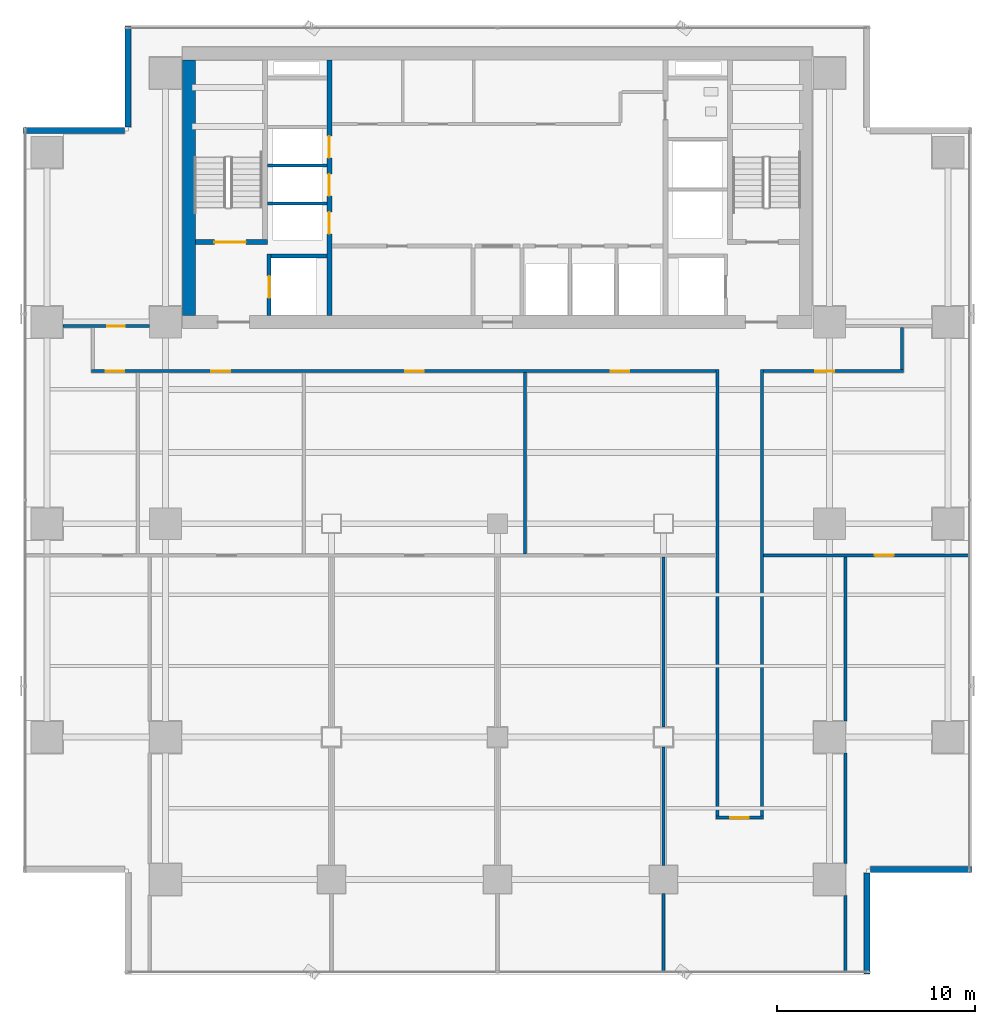
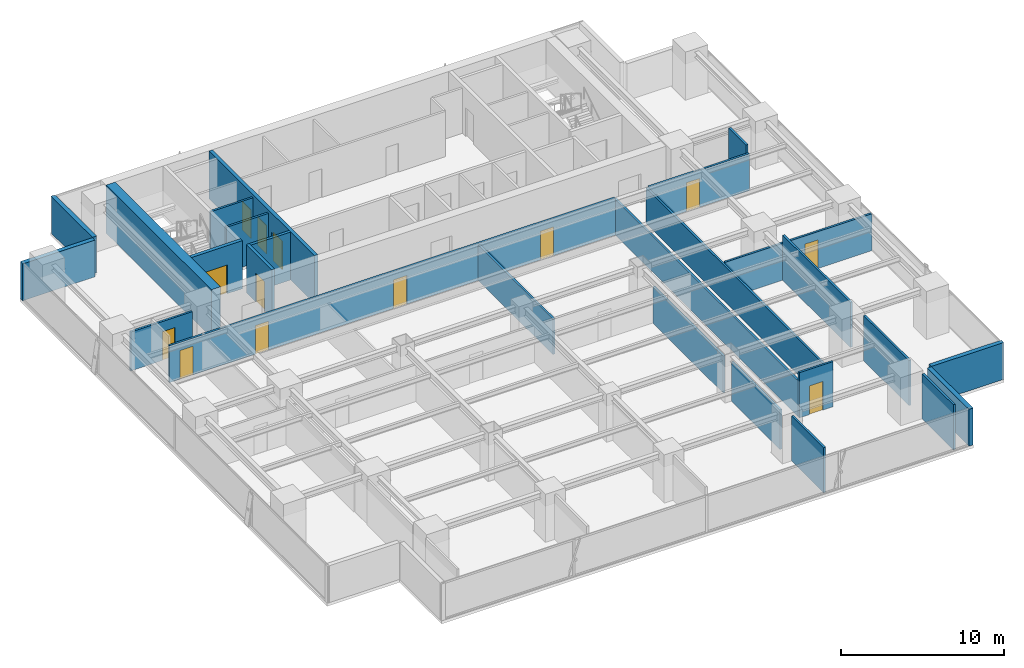
# One storey, part 21 of 28: 26 walls, 13 doors, 13 openings.
"""IFC4 building model written with IfcOpenShell, lengths in metres."""

from ifc_helpers import new_model, si_unit, direction, frame, frame_2d, origin, place, context, subcontext, project, spatial, rectangle, extrude, source, transform, mapped, material, layer, layer_set, type_object, element, fill, save


model = new_model("IFC4")

# Units and contexts
model_context = context("Model", 3, precision=1e-05, world=origin(), true_north=direction((0.0, 1.0)))
body_context = subcontext(model_context, "Body", "Model", "MODEL_VIEW")
ifc_project = project(units=[si_unit("LENGTHUNIT", "METRE"), si_unit("AREAUNIT", "SQUARE_METRE"), si_unit("VOLUMEUNIT", "CUBIC_METRE"), si_unit("PLANEANGLEUNIT", "RADIAN"), si_unit("MASSUNIT", "GRAM", prefix="KILO")], contexts=[model_context])

# Site, building, storey
site_placement = place(None, origin())
site = spatial("IfcSite", under=ifc_project, at=site_placement, CompositionType="ELEMENT")
building_placement = place(site_placement, origin())
building = spatial("IfcBuilding", under=site, at=building_placement, Name="Sumidabori Civic Tower", CompositionType="ELEMENT")
storey_placement = place(building_placement, frame((0.0, 0.0, 146.0)))
storey = spatial("IfcBuildingStorey", under=building, at=storey_placement, Name="L37", CompositionType="ELEMENT", Elevation=146.0)

# Walls
ifc_material_1 = material(Name="Concrete C50/60", Category="concrete")
ifc_layer_1 = layer(ifc_material_1, 0.199951171875, Name="Concrete C50/60")
ifc_layer_set_1 = layer_set([ifc_layer_1], Name="Concrete C50/60")
wall_type_1 = type_object("IfcWallType", Name="WL-SHAFT-200", PredefinedType="SHEAR", material=ifc_layer_set_1)
shared_shape_1 = source(origin(), body_context, "Body", "SweptSolid", [
    extrude(rectangle(XDim=2.824951171875, YDim=0.199951171875, at=frame_2d((1.41259765625, 0.0))), origin(), (0.0, 0.0, 1.0), 3.60009765625),
])
wall_1_placement = place(storey_placement, frame((-11.449951171875, 13.550048828125, 0.0), z_axis=(0.0, 0.0, 1.0), x_axis=(1.0, 0.0, 0.0)))
element("IfcWall", 1, at=wall_1_placement, inside=storey, type_object=wall_type_1, Name="Core Shear Wall L37 EL1-N", PredefinedType="SHEAR", context=body_context, shape_type="MappedRepresentation", body=[
    mapped(shared_shape_1, transform((0.0, 0.0, 0.0), x_axis=(1.0, 0.0, 0.0), y_axis=(0.0, 1.0, 0.0), z_axis=(0.0, 0.0, 1.0), scale=1.0)),
])
ifc_material_2 = material(Name="Concrete C60/75", Category="concrete")
ifc_layer_2 = layer(ifc_material_2, 0.64990234375, Name="Concrete C60/75")
ifc_layer_set_2 = layer_set([ifc_layer_2], Name="Concrete C60/75")
wall_type_2 = type_object("IfcWallType", Name="WL-CORE-650", PredefinedType="SHEAR", material=ifc_layer_set_2)
shared_shape_2 = source(origin(), body_context, "Body", "SweptSolid", [
    extrude(rectangle(XDim=12.9501953125, YDim=0.64990234375, at=frame_2d((6.47509765625, 0.0))), origin(), (0.0, 0.0, 1.0), 3.60009765625),
])
wall_2_placement = place(storey_placement, frame((-15.60009765625, 10.52490234375, 0.0), z_axis=(0.0, 0.0, 1.0), x_axis=(0.0, 1.0, 0.0)))
element("IfcWall", 2, at=wall_2_placement, inside=storey, type_object=wall_type_2, Name="Core Shear Wall L37 W", PredefinedType="SHEAR", context=body_context, shape_type="MappedRepresentation", body=[
    mapped(shared_shape_2, transform((0.0, 0.0, 0.0), x_axis=(1.0, 0.0, 0.0), y_axis=(0.0, 1.0, 0.0), z_axis=(0.0, 0.0, 1.0), scale=1.0)),
])

# Wall, openings, doors
ifc_layer_3 = layer(ifc_material_1, 0.25, Name="Concrete C50/60")
ifc_layer_set_3 = layer_set([ifc_layer_3], Name="Concrete C50/60")
wall_type_3 = type_object("IfcWallType", Name="WL-SHAFT-250", PredefinedType="SHEAR", material=ifc_layer_set_3)
shared_shape_3 = source(origin(), body_context, "Body", "SweptSolid", [
    extrude(rectangle(XDim=12.9501953125, YDim=0.25, at=frame_2d((6.47509765625, 0.0))), origin(), (0.0, 0.0, 1.0), 3.60009765625),
])
wall_3_placement = place(storey_placement, frame((-8.5, 10.52490234375, 0.0), z_axis=(0.0, 0.0, 1.0), x_axis=(0.0, 1.0, 0.0)))
wall_3 = element("IfcWall", 3, at=wall_3_placement, inside=storey, type_object=wall_type_3, Name="Core Shear Wall L37 WEB-W", PredefinedType="SHEAR", context=body_context, shape_type="MappedRepresentation", body=[
    mapped(shared_shape_3, transform((0.0, 0.0, 0.0), x_axis=(1.0, 0.0, 0.0), y_axis=(0.0, 1.0, 0.0), z_axis=(0.0, 0.0, 1.0), scale=1.0)),
])
opening_1_placement = place(wall_3_placement, frame((4.14501953125, 0.0, 0.0)))
opening_1 = element("IfcOpeningElement", 4, at=opening_1_placement, cuts=wall_3, Name="Opening LD-1", PredefinedType="OPENING", context=body_context, shape_type="SweptSolid", body=[
    extrude(rectangle(XDim=1.10009765625, YDim=2.14990234375, at=frame_2d((0.550048828125, 1.074951171875))), frame((0.0, 0.136962890625, 0.0), z_axis=(0.0, -1.0, 0.0), x_axis=(1.0, 0.0, 0.0)), (0.0, 0.0, 1.0), 0.27392578125),
])
opening_2_placement = place(wall_3_placement, frame((6.06494140625, 0.0, 0.0)))
opening_2 = element("IfcOpeningElement", 5, at=opening_2_placement, cuts=wall_3, Name="Opening LD-1", PredefinedType="OPENING", context=body_context, shape_type="SweptSolid", body=[
    extrude(rectangle(XDim=1.10009765625, YDim=2.14990234375, at=frame_2d((0.550048828125, 1.074951171875))), frame((0.0, 0.136962890625, 0.0), z_axis=(0.0, -1.0, 0.0), x_axis=(1.0, 0.0, 0.0)), (0.0, 0.0, 1.0), 0.27392578125),
])
opening_3_placement = place(wall_3_placement, frame((7.985107421875, 0.0, 0.0)))
opening_3 = element("IfcOpeningElement", 6, at=opening_3_placement, cuts=wall_3, Name="Opening LD-1", PredefinedType="OPENING", context=body_context, shape_type="SweptSolid", body=[
    extrude(rectangle(XDim=1.10009765625, YDim=2.14990234375, at=frame_2d((0.550048828125, 1.074951171875))), frame((0.0, 0.136962890625, 0.0), z_axis=(0.0, -1.0, 0.0), x_axis=(1.0, 0.0, 0.0)), (0.0, 0.0, 1.0), 0.27392578125),
])
ifc_material_3 = material(Name="Stainless Steel Hairline Finish", Category="steel")
door_type_1 = type_object("IfcDoorType", Name="DR-LD1", OperationType="DOUBLE_DOOR_SLIDING", PredefinedType="DOOR", material=ifc_material_3)
shared_shape_4 = source(origin(), body_context, "Body", "SweptSolid", [
    extrude(rectangle(XDim=1.10009765625, YDim=2.14990234375, at=frame_2d((0.550048828125, 1.074951171875))), frame((0.0, 0.02490234375, 0.0), z_axis=(0.0, -1.0, 0.0), x_axis=(1.0, 0.0, 0.0)), (0.0, 0.0, 1.0), 0.050048828125),
])
door_1_placement = place(opening_1_placement, origin())
door_1 = element("IfcDoor", 7, at=door_1_placement, inside=storey, type_object=door_type_1, Name="Door DR:L37:LD-PLH1", OperationType="DOUBLE_DOOR_SLIDING", OverallHeight=2.14990234375, OverallWidth=1.10009765625, PredefinedType="DOOR", context=body_context, shape_type="MappedRepresentation", body=[
    mapped(shared_shape_4, transform((0.0, 0.0, 0.0), x_axis=(1.0, 0.0, 0.0), y_axis=(0.0, 1.0, 0.0), z_axis=(0.0, 0.0, 1.0), scale=1.0)),
])
fill(opening_1, door_1)
door_2_placement = place(opening_2_placement, origin())
door_2 = element("IfcDoor", 8, at=door_2_placement, inside=storey, type_object=door_type_1, Name="Door DR:L37:LD-PLH2", OperationType="DOUBLE_DOOR_SLIDING", OverallHeight=2.14990234375, OverallWidth=1.10009765625, PredefinedType="DOOR", context=body_context, shape_type="MappedRepresentation", body=[
    mapped(shared_shape_4, transform((0.0, 0.0, 0.0), x_axis=(1.0, 0.0, 0.0), y_axis=(0.0, 1.0, 0.0), z_axis=(0.0, 0.0, 1.0), scale=1.0)),
])
fill(opening_2, door_2)
door_3_placement = place(opening_3_placement, origin())
door_3 = element("IfcDoor", 9, at=door_3_placement, inside=storey, type_object=door_type_1, Name="Door DR:L37:LD-PLH3", OperationType="DOUBLE_DOOR_SLIDING", OverallHeight=2.14990234375, OverallWidth=1.10009765625, PredefinedType="DOOR", context=body_context, shape_type="MappedRepresentation", body=[
    mapped(shared_shape_4, transform((0.0, 0.0, 0.0), x_axis=(1.0, 0.0, 0.0), y_axis=(0.0, 1.0, 0.0), z_axis=(0.0, 0.0, 1.0), scale=1.0)),
])
fill(opening_3, door_3)

# Wall, opening, door
shared_shape_5 = source(origin(), body_context, "Body", "SweptSolid", [
    extrude(rectangle(XDim=3.6298828125, YDim=0.25, at=frame_2d((1.81494140625, 0.0))), origin(), (0.0, 0.0, 1.0), 3.60009765625),
])
wall_4_placement = place(storey_placement, frame((-15.27490234375, 14.25, 0.0), z_axis=(0.0, 0.0, 1.0), x_axis=(1.0, 0.0, 0.0)))
wall_4 = element("IfcWall", 10, at=wall_4_placement, inside=storey, type_object=wall_type_3, Name="Core Shear Wall L37 ST1-S", PredefinedType="SHEAR", context=body_context, shape_type="MappedRepresentation", body=[
    mapped(shared_shape_5, transform((0.0, 0.0, 0.0), x_axis=(1.0, 0.0, 0.0), y_axis=(0.0, 1.0, 0.0), z_axis=(0.0, 0.0, 1.0), scale=1.0)),
])
opening_4_placement = place(wall_4_placement, frame((0.949951171875, 0.0, 0.0)))
opening_4 = element("IfcOpeningElement", 11, at=opening_4_placement, cuts=wall_4, Name="Opening DR-FD4", PredefinedType="OPENING", context=body_context, shape_type="SweptSolid", body=[
    extrude(rectangle(XDim=1.60009765625, YDim=2.14990234375, at=frame_2d((0.800048828125, 1.074951171875))), frame((0.0, 0.136962890625, 0.0), z_axis=(0.0, -1.0, 0.0), x_axis=(1.0, 0.0, 0.0)), (0.0, 0.0, 1.0), 0.27392578125),
])
ifc_material_4 = material(Name="Steel SN490", Category="steel")
door_type_2 = type_object("IfcDoorType", Name="DR-FD4", OperationType="DOUBLE_DOOR_SINGLE_SWING", PredefinedType="DOOR", material=ifc_material_4)
shared_shape_6 = source(origin(), body_context, "Body", "SweptSolid", [
    extrude(rectangle(XDim=1.60009765625, YDim=2.14990234375, at=frame_2d((0.800048828125, 1.074951171875))), frame((0.0, 0.02490234375, 0.0), z_axis=(0.0, -1.0, 0.0), x_axis=(1.0, 0.0, 0.0)), (0.0, 0.0, 1.0), 0.050048828125),
])
door_4_placement = place(opening_4_placement, origin())
door_4 = element("IfcDoor", 12, at=door_4_placement, inside=storey, type_object=door_type_2, Name="Door DR:L37:ST1", OperationType="DOUBLE_DOOR_SINGLE_SWING", OverallHeight=2.14990234375, OverallWidth=1.60009765625, PredefinedType="DOOR", context=body_context, shape_type="MappedRepresentation", body=[
    mapped(shared_shape_6, transform((0.0, 0.0, 0.0), x_axis=(1.0, 0.0, 0.0), y_axis=(0.0, 1.0, 0.0), z_axis=(0.0, 0.0, 1.0), scale=1.0)),
])
fill(opening_4, door_4)

shared_shape_7 = source(origin(), body_context, "Body", "SweptSolid", [
    extrude(rectangle(XDim=3.125, YDim=0.199951171875, at=frame_2d((1.5625, 0.0))), origin(), (0.0, 0.0, 1.0), 3.60009765625),
])
wall_5_placement = place(storey_placement, frame((-11.550048828125, 10.52490234375, 0.0), z_axis=(0.0, 0.0, 1.0), x_axis=(0.0, 1.0, 0.0)))
wall_5 = element("IfcWall", 13, at=wall_5_placement, inside=storey, type_object=wall_type_1, Name="Core Shear Wall L37 EL1-W", PredefinedType="SHEAR", context=body_context, shape_type="MappedRepresentation", body=[
    mapped(shared_shape_7, transform((0.0, 0.0, 0.0), x_axis=(1.0, 0.0, 0.0), y_axis=(0.0, 1.0, 0.0), z_axis=(0.0, 0.0, 1.0), scale=1.0)),
])
opening_5_placement = place(wall_5_placement, frame((0.89990234375, 0.0, 0.0)))
opening_5 = element("IfcOpeningElement", 14, at=opening_5_placement, cuts=wall_5, Name="Opening LD-2", PredefinedType="OPENING", context=body_context, shape_type="SweptSolid", body=[
    extrude(rectangle(XDim=1.10009765625, YDim=2.14990234375, at=frame_2d((0.550048828125, 1.074951171875))), frame((0.0, 0.11181640625, 0.0), z_axis=(0.0, -1.0, 0.0), x_axis=(1.0, 0.0, 0.0)), (0.0, 0.0, 1.0), 0.223876953125),
])
door_type_3 = type_object("IfcDoorType", Name="DR-LD2", OperationType="DOUBLE_DOOR_SLIDING", PredefinedType="DOOR", material=ifc_material_3)
door_5_placement = place(opening_5_placement, origin())
door_5 = element("IfcDoor", 15, at=door_5_placement, inside=storey, type_object=door_type_3, Name="Door DR:L37:LD-EL1", OperationType="DOUBLE_DOOR_SLIDING", OverallHeight=2.14990234375, OverallWidth=1.10009765625, PredefinedType="DOOR", context=body_context, shape_type="MappedRepresentation", body=[
    mapped(shared_shape_4, transform((0.0, 0.0, 0.0), x_axis=(1.0, 0.0, 0.0), y_axis=(0.0, 1.0, 0.0), z_axis=(0.0, 0.0, 1.0), scale=1.0)),
])
fill(opening_5, door_5)

# Walls
ifc_material_5 = material(Name="Precast concrete C40/50", Category="concrete")
ifc_layer_4 = layer(ifc_material_5, 0.300048828125, Name="Precast concrete C40/50")
ifc_layer_set_4 = layer_set([ifc_layer_4], Name="Precast concrete C40/50")
wall_type_4 = type_object("IfcWallType", Name="WL-EXT-POD300", PredefinedType="STANDARD", material=ifc_layer_set_4)
shared_shape_8 = source(origin(), body_context, "Body", "SweptSolid", [
    extrude(rectangle(XDim=5.110107421875, YDim=0.300048828125, at=frame_2d((2.55517578125, 0.0))), origin(), (0.0, 0.0, 1.0), 2.760009765625),
])
wall_6_placement = place(storey_placement, frame((18.699951171875, -22.780029296875, 0.0), z_axis=(0.0, 0.0, 1.0), x_axis=(0.0, 1.0, 0.0)))
element("IfcWall", 16, at=wall_6_placement, inside=storey, type_object=wall_type_4, Name="Notched Corner Spandrel Band L37-02", PredefinedType="STANDARD", context=body_context, shape_type="MappedRepresentation", body=[
    mapped(shared_shape_8, transform((0.0, 0.0, 0.0), x_axis=(1.0, 0.0, 0.0), y_axis=(0.0, 1.0, 0.0), z_axis=(0.0, 0.0, 1.0), scale=1.0)),
])
shared_shape_9 = source(origin(), body_context, "Body", "SweptSolid", [
    extrude(rectangle(XDim=5.10986328125, YDim=0.300048828125, at=frame_2d((2.554931640625, 0.0))), origin(), (0.0, 0.0, 1.0), 2.760009765625),
])
for number, where, z_axis, x_axis, name in (
    (17, (18.8701171875, -17.5, 0.0), (0.0, 0.0, 1.0), (1.0, 0.0, 0.0), "Notched Corner Spandrel Band L37-03"),
    (18, (-18.699951171875, 25.179931640625, 0.0), (0.0, 0.0, 1.0), (0.0, -1.0, 0.0), "Notched Corner Spandrel Band L37-08"),
    (19, (-18.8701171875, 19.89990234375, 0.0), (0.0, 0.0, 1.0), (-1.0, 0.0, 0.0), "Notched Corner Spandrel Band L37-09"),
):
    element("IfcWall", number, at=place(storey_placement, frame(where, z_axis=z_axis, x_axis=x_axis)), inside=storey, type_object=wall_type_4, Name=name, PredefinedType="STANDARD", context=body_context, shape_type="MappedRepresentation", body=[
        mapped(shared_shape_9, transform((0.0, 0.0, 0.0), x_axis=(1.0, 0.0, 0.0), y_axis=(0.0, 1.0, 0.0), z_axis=(0.0, 0.0, 1.0), scale=1.0)),
    ])
ifc_material_6 = material(Name="Gypsum Plasterboard Acoustic Partition")
ifc_layer_5 = layer(ifc_material_6, 0.14990234375, Name="Gypsum Plasterboard Acoustic Partition")
ifc_layer_set_5 = layer_set([ifc_layer_5], Name="Gypsum Plasterboard Acoustic Partition")
wall_type_5 = type_object("IfcWallType", Name="WL-PART-150", PredefinedType="PARTITIONING", material=ifc_layer_set_5)
shared_shape_10 = source(origin(), body_context, "Body", "SweptSolid", [
    extrude(rectangle(XDim=3.010009765625, YDim=0.14990234375, at=frame_2d((1.5048828125, 0.0))), origin(), (0.0, 0.0, 1.0), 3.3798828125),
])
for number, where, z_axis, x_axis, name in (
    (20, (-11.639892578125, 16.199951171875, 0.0), (0.0, 0.0, 1.0), (1.0, 0.0, 0.0), "Interior Partition WL:L37:DIV-PLH1"),
    (21, (-11.639892578125, 18.1201171875, 0.0), (0.0, 0.0, 1.0), (1.0, 0.0, 0.0), "Interior Partition WL:L37:DIV-PLH2"),
):
    element("IfcWall", number, at=place(storey_placement, frame(where, z_axis=z_axis, x_axis=x_axis)), inside=storey, type_object=wall_type_5, Name=name, PredefinedType="PARTITIONING", context=body_context, shape_type="MappedRepresentation", body=[
        mapped(shared_shape_10, transform((0.0, 0.0, 0.0), x_axis=(1.0, 0.0, 0.0), y_axis=(0.0, 1.0, 0.0), z_axis=(0.0, 0.0, 1.0), scale=1.0)),
    ])

# Wall, opening, door
shared_shape_11 = source(origin(), body_context, "Body", "SweptSolid", [
    extrude(rectangle(XDim=4.3798828125, YDim=0.14990234375, at=frame_2d((2.18994140625, 0.0))), origin(), (0.0, 0.0, 1.0), 2.9150390625),
])
wall_7_placement = place(storey_placement, frame((-21.989990234375, 10.0, 0.0), z_axis=(0.0, 0.0, 1.0), x_axis=(1.0, 0.0, 0.0)))
wall_7 = element("IfcWall", 22, at=wall_7_placement, inside=storey, type_object=wall_type_5, Name="Interior Partition WL:L37:FLK-NW", PredefinedType="PARTITIONING", context=body_context, shape_type="MappedRepresentation", body=[
    mapped(shared_shape_11, transform((0.0, 0.0, 0.0), x_axis=(1.0, 0.0, 0.0), y_axis=(0.0, 1.0, 0.0), z_axis=(0.0, 0.0, 1.0), scale=1.0)),
])
opening_6_placement = place(wall_7_placement, frame((2.235107421875, 0.0, 0.0)))
opening_6 = element("IfcOpeningElement", 23, at=opening_6_placement, cuts=wall_7, Name="Opening DR-1", PredefinedType="OPENING", context=body_context, shape_type="SweptSolid", body=[
    extrude(rectangle(XDim=0.89990234375, YDim=2.14990234375, at=frame_2d((0.449951171875, 1.074951171875))), frame((0.0, 0.0869140625, 0.0), z_axis=(0.0, -1.0, 0.0), x_axis=(1.0, 0.0, 0.0)), (0.0, 0.0, 1.0), 0.173828125),
])
ifc_material_7 = material(Name="Japanese Hinoki Timber", Category="wood")
door_type_4 = type_object("IfcDoorType", Name="DR-INT-900", OperationType="NOTDEFINED", PredefinedType="DOOR", material=ifc_material_7)
shared_shape_12 = source(origin(), body_context, "Body", "SweptSolid", [
    extrude(rectangle(XDim=0.89990234375, YDim=2.14990234375, at=frame_2d((0.449951171875, 1.074951171875))), frame((0.0, 0.02490234375, 0.0), z_axis=(0.0, -1.0, 0.0), x_axis=(1.0, 0.0, 0.0)), (0.0, 0.0, 1.0), 0.050048828125),
])
door_6_placement = place(opening_6_placement, origin())
door_6 = element("IfcDoor", 24, at=door_6_placement, inside=storey, type_object=door_type_4, Name="Door DR:L37:FLK-NE", OperationType="SINGLE_SWING_LEFT", OverallHeight=2.14990234375, OverallWidth=0.89990234375, PredefinedType="DOOR", context=body_context, shape_type="MappedRepresentation", body=[
    mapped(shared_shape_12, transform((0.0, 0.0, 0.0), x_axis=(1.0, 0.0, 0.0), y_axis=(0.0, 1.0, 0.0), z_axis=(0.0, 0.0, 1.0), scale=1.0)),
])
fill(opening_6, door_6)

# Wall, openings, doors
shared_shape_13 = source(origin(), body_context, "Body", "SweptSolid", [
    extrude(rectangle(XDim=31.60009765625, YDim=0.14990234375, at=frame_2d((15.800048828125, 0.0))), origin(), (0.0, 0.0, 1.0), 2.764892578125),
])
wall_8_placement = place(storey_placement, frame((-20.550048828125, 7.72509765625, 0.0), z_axis=(0.0, 0.0, 1.0), x_axis=(1.0, 0.0, 0.0)))
wall_8 = element("IfcWall", 25, at=wall_8_placement, inside=storey, type_object=wall_type_5, Name="Interior Partition WL:L37:CORR-SW", PredefinedType="PARTITIONING", context=body_context, shape_type="MappedRepresentation", body=[
    mapped(shared_shape_13, transform((0.0, 0.0, 0.0), x_axis=(1.0, 0.0, 0.0), y_axis=(0.0, 1.0, 0.0), z_axis=(0.0, 0.0, 1.0), scale=1.0)),
])
opening_7_placement = place(wall_8_placement, frame((0.722412109375, 0.0, 0.0)))
opening_7 = element("IfcOpeningElement", 26, at=opening_7_placement, cuts=wall_8, Name="Opening DR-2", PredefinedType="OPENING", context=body_context, shape_type="SweptSolid", body=[
    extrude(rectangle(XDim=0.949951171875, YDim=2.14990234375, at=frame_2d((0.47509765625, 1.074951171875))), frame((0.0, 0.0869140625, 0.0), z_axis=(0.0, -1.0, 0.0), x_axis=(1.0, 0.0, 0.0)), (0.0, 0.0, 1.0), 0.173828125),
])
opening_8_placement = place(wall_8_placement, frame((6.074951171875, 0.0, 0.0)))
opening_8 = element("IfcOpeningElement", 27, at=opening_8_placement, cuts=wall_8, Name="Opening DR-2", PredefinedType="OPENING", context=body_context, shape_type="SweptSolid", body=[
    extrude(rectangle(XDim=0.949951171875, YDim=2.14990234375, at=frame_2d((0.47509765625, 1.074951171875))), frame((0.0, 0.0869140625, 0.0), z_axis=(0.0, -1.0, 0.0), x_axis=(1.0, 0.0, 0.0)), (0.0, 0.0, 1.0), 0.173828125),
])
opening_9_placement = place(wall_8_placement, frame((15.875, 0.0, 0.0)))
opening_9 = element("IfcOpeningElement", 28, at=opening_9_placement, cuts=wall_8, Name="Opening DR-2", PredefinedType="OPENING", context=body_context, shape_type="SweptSolid", body=[
    extrude(rectangle(XDim=0.949951171875, YDim=2.14990234375, at=frame_2d((0.47509765625, 1.074951171875))), frame((0.0, 0.0869140625, 0.0), z_axis=(0.0, -1.0, 0.0), x_axis=(1.0, 0.0, 0.0)), (0.0, 0.0, 1.0), 0.173828125),
])
opening_10_placement = place(wall_8_placement, frame((26.277587890625, 0.0, 0.0)))
opening_10 = element("IfcOpeningElement", 29, at=opening_10_placement, cuts=wall_8, Name="Opening DR-2", PredefinedType="OPENING", context=body_context, shape_type="SweptSolid", body=[
    extrude(rectangle(XDim=0.949951171875, YDim=2.14990234375, at=frame_2d((0.47509765625, 1.074951171875))), frame((0.0, 0.0869140625, 0.0), z_axis=(0.0, -1.0, 0.0), x_axis=(1.0, 0.0, 0.0)), (0.0, 0.0, 1.0), 0.173828125),
])
door_type_5 = type_object("IfcDoorType", Name="DR-INT-950", OperationType="NOTDEFINED", PredefinedType="DOOR", material=ifc_material_7)
shared_shape_14 = source(origin(), body_context, "Body", "SweptSolid", [
    extrude(rectangle(XDim=0.949951171875, YDim=2.14990234375, at=frame_2d((0.47509765625, 1.074951171875))), frame((0.0, 0.02490234375, 0.0), z_axis=(0.0, -1.0, 0.0), x_axis=(1.0, 0.0, 0.0)), (0.0, 0.0, 1.0), 0.050048828125),
])
door_7_placement = place(opening_7_placement, origin())
door_7 = element("IfcDoor", 30, at=door_7_placement, inside=storey, type_object=door_type_5, Name="Door DR:L37:D02", OperationType="SINGLE_SWING_RIGHT", OverallHeight=2.14990234375, OverallWidth=0.949951171875, PredefinedType="DOOR", context=body_context, shape_type="MappedRepresentation", body=[
    mapped(shared_shape_14, transform((0.0, 0.0, 0.0), x_axis=(1.0, 0.0, 0.0), y_axis=(0.0, 1.0, 0.0), z_axis=(0.0, 0.0, 1.0), scale=1.0)),
])
fill(opening_7, door_7)
door_8_placement = place(opening_8_placement, origin())
door_8 = element("IfcDoor", 31, at=door_8_placement, inside=storey, type_object=door_type_5, Name="Door DR:L37:D04", OperationType="SINGLE_SWING_RIGHT", OverallHeight=2.14990234375, OverallWidth=0.949951171875, PredefinedType="DOOR", context=body_context, shape_type="MappedRepresentation", body=[
    mapped(shared_shape_14, transform((0.0, 0.0, 0.0), x_axis=(1.0, 0.0, 0.0), y_axis=(0.0, 1.0, 0.0), z_axis=(0.0, 0.0, 1.0), scale=1.0)),
])
fill(opening_8, door_8)
door_9_placement = place(opening_9_placement, origin())
door_9 = element("IfcDoor", 32, at=door_9_placement, inside=storey, type_object=door_type_5, Name="Door DR:L37:D05", OperationType="SINGLE_SWING_LEFT", OverallHeight=2.14990234375, OverallWidth=0.949951171875, PredefinedType="DOOR", context=body_context, shape_type="MappedRepresentation", body=[
    mapped(shared_shape_14, transform((0.0, 0.0, 0.0), x_axis=(1.0, 0.0, 0.0), y_axis=(0.0, 1.0, 0.0), z_axis=(0.0, 0.0, 1.0), scale=1.0)),
])
fill(opening_9, door_9)
door_10_placement = place(opening_10_placement, origin())
door_10 = element("IfcDoor", 33, at=door_10_placement, inside=storey, type_object=door_type_5, Name="Door DR:L37:D06", OperationType="SINGLE_SWING_RIGHT", OverallHeight=2.14990234375, OverallWidth=0.949951171875, PredefinedType="DOOR", context=body_context, shape_type="MappedRepresentation", body=[
    mapped(shared_shape_14, transform((0.0, 0.0, 0.0), x_axis=(1.0, 0.0, 0.0), y_axis=(0.0, 1.0, 0.0), z_axis=(0.0, 0.0, 1.0), scale=1.0)),
])
fill(opening_10, door_10)

# Wall, opening, door
shared_shape_15 = source(origin(), body_context, "Body", "SweptSolid", [
    extrude(rectangle(XDim=7.10009765625, YDim=0.14990234375, at=frame_2d((3.550048828125, 0.0))), origin(), (0.0, 0.0, 1.0), 2.764892578125),
])
wall_9_placement = place(storey_placement, frame((13.449951171875, 7.72509765625, 0.0), z_axis=(0.0, 0.0, 1.0), x_axis=(1.0, 0.0, 0.0)))
wall_9 = element("IfcWall", 34, at=wall_9_placement, inside=storey, type_object=wall_type_5, Name="Interior Partition WL:L37:CORR-SE", PredefinedType="PARTITIONING", context=body_context, shape_type="MappedRepresentation", body=[
    mapped(shared_shape_15, transform((0.0, 0.0, 0.0), x_axis=(1.0, 0.0, 0.0), y_axis=(0.0, 1.0, 0.0), z_axis=(0.0, 0.0, 1.0), scale=1.0)),
])
opening_11_placement = place(wall_9_placement, frame((2.635009765625, 0.0, 0.0)))
opening_11 = element("IfcOpeningElement", 35, at=opening_11_placement, cuts=wall_9, Name="Opening DR-2", PredefinedType="OPENING", context=body_context, shape_type="SweptSolid", body=[
    extrude(rectangle(XDim=0.949951171875, YDim=2.14990234375, at=frame_2d((0.47509765625, 1.074951171875))), frame((0.0, 0.0869140625, 0.0), z_axis=(0.0, -1.0, 0.0), x_axis=(1.0, 0.0, 0.0)), (0.0, 0.0, 1.0), 0.173828125),
])
door_11_placement = place(opening_11_placement, origin())
door_11 = element("IfcDoor", 36, at=door_11_placement, inside=storey, type_object=door_type_5, Name="Door DR:L37:D03", OperationType="SINGLE_SWING_LEFT", OverallHeight=2.14990234375, OverallWidth=0.949951171875, PredefinedType="DOOR", context=body_context, shape_type="MappedRepresentation", body=[
    mapped(shared_shape_14, transform((0.0, 0.0, 0.0), x_axis=(1.0, 0.0, 0.0), y_axis=(0.0, 1.0, 0.0), z_axis=(0.0, 0.0, 1.0), scale=1.0)),
])
fill(opening_11, door_11)

shared_shape_16 = source(origin(), body_context, "Body", "SweptSolid", [
    extrude(rectangle(XDim=2.39990234375, YDim=0.14990234375, at=frame_2d((1.199951171875, 0.0))), origin(), (0.0, 0.0, 1.0), 3.3798828125),
])
wall_10_placement = place(storey_placement, frame((11.050048828125, -14.875, 0.0), z_axis=(0.0, 0.0, 1.0), x_axis=(1.0, 0.0, 0.0)))
wall_10 = element("IfcWall", 37, at=wall_10_placement, inside=storey, type_object=wall_type_5, Name="Interior Partition WL:L37:CORR-CAP-E", PredefinedType="PARTITIONING", context=body_context, shape_type="MappedRepresentation", body=[
    mapped(shared_shape_16, transform((0.0, 0.0, 0.0), x_axis=(1.0, 0.0, 0.0), y_axis=(0.0, 1.0, 0.0), z_axis=(0.0, 0.0, 1.0), scale=1.0)),
])
opening_12_placement = place(wall_10_placement, frame((0.72509765625, 0.0, 0.0)))
opening_12 = element("IfcOpeningElement", 38, at=opening_12_placement, cuts=wall_10, Name="Opening DR-2", PredefinedType="OPENING", context=body_context, shape_type="SweptSolid", body=[
    extrude(rectangle(XDim=0.949951171875, YDim=2.14990234375, at=frame_2d((0.47509765625, 1.074951171875))), frame((0.0, 0.0869140625, 0.0), z_axis=(0.0, -1.0, 0.0), x_axis=(1.0, 0.0, 0.0)), (0.0, 0.0, 1.0), 0.173828125),
])
door_12_placement = place(opening_12_placement, origin())
door_12 = element("IfcDoor", 39, at=door_12_placement, inside=storey, type_object=door_type_5, Name="Door DR:L37:D07", OperationType="SINGLE_SWING_LEFT", OverallHeight=2.14990234375, OverallWidth=0.949951171875, PredefinedType="DOOR", context=body_context, shape_type="MappedRepresentation", body=[
    mapped(shared_shape_14, transform((0.0, 0.0, 0.0), x_axis=(1.0, 0.0, 0.0), y_axis=(0.0, 1.0, 0.0), z_axis=(0.0, 0.0, 1.0), scale=1.0)),
])
fill(opening_12, door_12)

# Walls
shared_shape_17 = source(origin(), body_context, "Body", "SweptSolid", [
    extrude(rectangle(XDim=2.114990234375, YDim=0.14990234375, at=frame_2d((1.0576171875, 0.0))), origin(), (0.0, 0.0, 1.0), 3.3798828125),
])
wall_11_placement = place(storey_placement, frame((20.47509765625, 7.804931640625, 0.0), z_axis=(0.0, 0.0, 1.0), x_axis=(0.0, 1.0, 0.0)))
element("IfcWall", 40, at=wall_11_placement, inside=storey, type_object=wall_type_5, Name="Interior Partition WL:L37:CORR-VNE", PredefinedType="PARTITIONING", context=body_context, shape_type="MappedRepresentation", body=[
    mapped(shared_shape_17, transform((0.0, 0.0, 0.0), x_axis=(1.0, 0.0, 0.0), y_axis=(0.0, 1.0, 0.0), z_axis=(0.0, 0.0, 1.0), scale=1.0)),
])
shared_shape_18 = source(origin(), body_context, "Body", "SweptSolid", [
    extrude(rectangle(XDim=22.594970703125, YDim=0.14990234375, at=frame_2d((11.29736328125, 0.0))), origin(), (0.0, 0.0, 1.0), 2.6650390625),
])
for number, where, z_axis, x_axis, name in (
    (41, (11.125, -14.794921875, 0.0), (0.0, 0.0, 1.0), (0.0, 1.0, 0.0), "Interior Partition WL:L37:CORR-VL-W"),
    (42, (13.375, -14.794921875, 0.0), (0.0, 0.0, 1.0), (0.0, 1.0, 0.0), "Interior Partition WL:L37:CORR-VL-E"),
):
    element("IfcWall", number, at=place(storey_placement, frame(where, z_axis=z_axis, x_axis=x_axis)), inside=storey, type_object=wall_type_5, Name=name, PredefinedType="PARTITIONING", context=body_context, shape_type="MappedRepresentation", body=[
        mapped(shared_shape_18, transform((0.0, 0.0, 0.0), x_axis=(1.0, 0.0, 0.0), y_axis=(0.0, 1.0, 0.0), z_axis=(0.0, 0.0, 1.0), scale=1.0)),
    ])

# Wall, opening, door
shared_shape_19 = source(origin(), body_context, "Body", "SweptSolid", [
    extrude(rectangle(XDim=10.39501953125, YDim=0.14990234375, at=frame_2d((5.197509765625, 0.0))), origin(), (0.0, 0.0, 1.0), 2.764892578125),
])
wall_12_placement = place(storey_placement, frame((13.455078125, -1.60009765625, 0.0), z_axis=(0.0, 0.0, 1.0), x_axis=(1.0, 0.0, 0.0)))
wall_12 = element("IfcWall", 43, at=wall_12_placement, inside=storey, type_object=wall_type_5, Name="Interior Partition WL:L37:BAND-Y-2", PredefinedType="PARTITIONING", context=body_context, shape_type="MappedRepresentation", body=[
    mapped(shared_shape_19, transform((0.0, 0.0, 0.0), x_axis=(1.0, 0.0, 0.0), y_axis=(0.0, 1.0, 0.0), z_axis=(0.0, 0.0, 1.0), scale=1.0)),
])
opening_13_placement = place(wall_12_placement, frame((5.64501953125, 0.0, 0.0)))
opening_13 = element("IfcOpeningElement", 44, at=opening_13_placement, cuts=wall_12, Name="Opening DR-2", PredefinedType="OPENING", context=body_context, shape_type="SweptSolid", body=[
    extrude(rectangle(XDim=0.949951171875, YDim=2.14990234375, at=frame_2d((0.47509765625, 1.074951171875))), frame((0.0, 0.0869140625, 0.0), z_axis=(0.0, -1.0, 0.0), x_axis=(1.0, 0.0, 0.0)), (0.0, 0.0, 1.0), 0.173828125),
])
door_13_placement = place(opening_13_placement, origin())
door_13 = element("IfcDoor", 45, at=door_13_placement, inside=storey, type_object=door_type_5, Name="Door DR:L37:D09", OperationType="SINGLE_SWING_LEFT", OverallHeight=2.14990234375, OverallWidth=0.949951171875, PredefinedType="DOOR", context=body_context, shape_type="MappedRepresentation", body=[
    mapped(shared_shape_14, transform((0.0, 0.0, 0.0), x_axis=(1.0, 0.0, 0.0), y_axis=(0.0, 1.0, 0.0), z_axis=(0.0, 0.0, 1.0), scale=1.0)),
])
fill(opening_13, door_13)

# Walls
shared_shape_20 = source(origin(), body_context, "Body", "SweptSolid", [
    extrude(rectangle(XDim=9.1650390625, YDim=0.14990234375, at=frame_2d((4.58251953125, 0.0))), origin(), (0.0, 0.0, 1.0), 2.6650390625),
])
wall_13_placement = place(storey_placement, frame((1.39990234375, -1.52001953125, 0.0), z_axis=(0.0, 0.0, 1.0), x_axis=(0.0, 1.0, 0.0)))
element("IfcWall", 46, at=wall_13_placement, inside=storey, type_object=wall_type_5, Name="Interior Partition WL:L37:VX-N3", PredefinedType="PARTITIONING", context=body_context, shape_type="MappedRepresentation", body=[
    mapped(shared_shape_20, transform((0.0, 0.0, 0.0), x_axis=(1.0, 0.0, 0.0), y_axis=(0.0, 1.0, 0.0), z_axis=(0.0, 0.0, 1.0), scale=1.0)),
])
shared_shape_21 = source(origin(), body_context, "Body", "SweptSolid", [
    extrude(rectangle(XDim=3.83984375, YDim=0.14990234375, at=frame_2d((1.919921875, 0.0))), origin(), (0.0, 0.0, 1.0), 3.3798828125),
])
wall_14_placement = place(storey_placement, frame((17.60009765625, -22.64990234375, 0.0), z_axis=(0.0, 0.0, 1.0), x_axis=(0.0, 1.0, 0.0)))
element("IfcWall", 47, at=wall_14_placement, inside=storey, type_object=wall_type_5, Name="Interior Partition WL:L37:VX-S5-1", PredefinedType="PARTITIONING", context=body_context, shape_type="MappedRepresentation", body=[
    mapped(shared_shape_21, transform((0.0, 0.0, 0.0), x_axis=(1.0, 0.0, 0.0), y_axis=(0.0, 1.0, 0.0), z_axis=(0.0, 0.0, 1.0), scale=1.0)),
])
shared_shape_22 = source(origin(), body_context, "Body", "SweptSolid", [
    extrude(rectangle(XDim=5.579833984375, YDim=0.14990234375, at=frame_2d((2.7900390625, 0.0))), origin(), (0.0, 0.0, 1.0), 3.3798828125),
])
wall_15_placement = place(storey_placement, frame((17.60009765625, -17.18994140625, 0.0), z_axis=(0.0, 0.0, 1.0), x_axis=(0.0, 1.0, 0.0)))
element("IfcWall", 48, at=wall_15_placement, inside=storey, type_object=wall_type_5, Name="Interior Partition WL:L37:VX-S5-2", PredefinedType="PARTITIONING", context=body_context, shape_type="MappedRepresentation", body=[
    mapped(shared_shape_22, transform((0.0, 0.0, 0.0), x_axis=(1.0, 0.0, 0.0), y_axis=(0.0, 1.0, 0.0), z_axis=(0.0, 0.0, 1.0), scale=1.0)),
])
shared_shape_23 = source(origin(), body_context, "Body", "SweptSolid", [
    extrude(rectangle(XDim=8.31005859375, YDim=0.14990234375, at=frame_2d((4.155029296875, 0.0))), origin(), (0.0, 0.0, 1.0), 3.3798828125),
])
wall_16_placement = place(storey_placement, frame((17.60009765625, -9.989990234375, 0.0), z_axis=(0.0, 0.0, 1.0), x_axis=(0.0, 1.0, 0.0)))
element("IfcWall", 49, at=wall_16_placement, inside=storey, type_object=wall_type_5, Name="Interior Partition WL:L37:VX-S5-3", PredefinedType="PARTITIONING", context=body_context, shape_type="MappedRepresentation", body=[
    mapped(shared_shape_23, transform((0.0, 0.0, 0.0), x_axis=(1.0, 0.0, 0.0), y_axis=(0.0, 1.0, 0.0), z_axis=(0.0, 0.0, 1.0), scale=1.0)),
])
shared_shape_24 = source(origin(), body_context, "Body", "SweptSolid", [
    extrude(rectangle(XDim=3.93994140625, YDim=0.14990234375, at=frame_2d((1.969970703125, 0.0))), origin(), (0.0, 0.0, 1.0), 3.3798828125),
])
wall_17_placement = place(storey_placement, frame((8.39990234375, -22.64990234375, 0.0), z_axis=(0.0, 0.0, 1.0), x_axis=(0.0, 1.0, 0.0)))
element("IfcWall", 50, at=wall_17_placement, inside=storey, type_object=wall_type_5, Name="Interior Partition WL:L37:VX-S4-1", PredefinedType="PARTITIONING", context=body_context, shape_type="MappedRepresentation", body=[
    mapped(shared_shape_24, transform((0.0, 0.0, 0.0), x_axis=(1.0, 0.0, 0.0), y_axis=(0.0, 1.0, 0.0), z_axis=(0.0, 0.0, 1.0), scale=1.0)),
])
shared_shape_25 = source(origin(), body_context, "Body", "SweptSolid", [
    extrude(rectangle(XDim=5.97998046875, YDim=0.14990234375, at=frame_2d((2.989990234375, 0.0))), origin(), (0.0, 0.0, 1.0), 2.965087890625),
])
wall_18_placement = place(storey_placement, frame((8.39990234375, -17.2900390625, 0.0), z_axis=(0.0, 0.0, 1.0), x_axis=(0.0, 1.0, 0.0)))
element("IfcWall", 51, at=wall_18_placement, inside=storey, type_object=wall_type_5, Name="Interior Partition WL:L37:VX-S4-2", PredefinedType="PARTITIONING", context=body_context, shape_type="MappedRepresentation", body=[
    mapped(shared_shape_25, transform((0.0, 0.0, 0.0), x_axis=(1.0, 0.0, 0.0), y_axis=(0.0, 1.0, 0.0), z_axis=(0.0, 0.0, 1.0), scale=1.0)),
])
shared_shape_26 = source(origin(), body_context, "Body", "SweptSolid", [
    extrude(rectangle(XDim=8.610107421875, YDim=0.14990234375, at=frame_2d((4.30517578125, 0.0))), origin(), (0.0, 0.0, 1.0), 2.764892578125),
])
wall_19_placement = place(storey_placement, frame((8.39990234375, -10.2900390625, 0.0), z_axis=(0.0, 0.0, 1.0), x_axis=(0.0, 1.0, 0.0)))
element("IfcWall", 52, at=wall_19_placement, inside=storey, type_object=wall_type_5, Name="Interior Partition WL:L37:VX-S4-3", PredefinedType="PARTITIONING", context=body_context, shape_type="MappedRepresentation", body=[
    mapped(shared_shape_26, transform((0.0, 0.0, 0.0), x_axis=(1.0, 0.0, 0.0), y_axis=(0.0, 1.0, 0.0), z_axis=(0.0, 0.0, 1.0), scale=1.0)),
])

save(model, "model.ifc")
